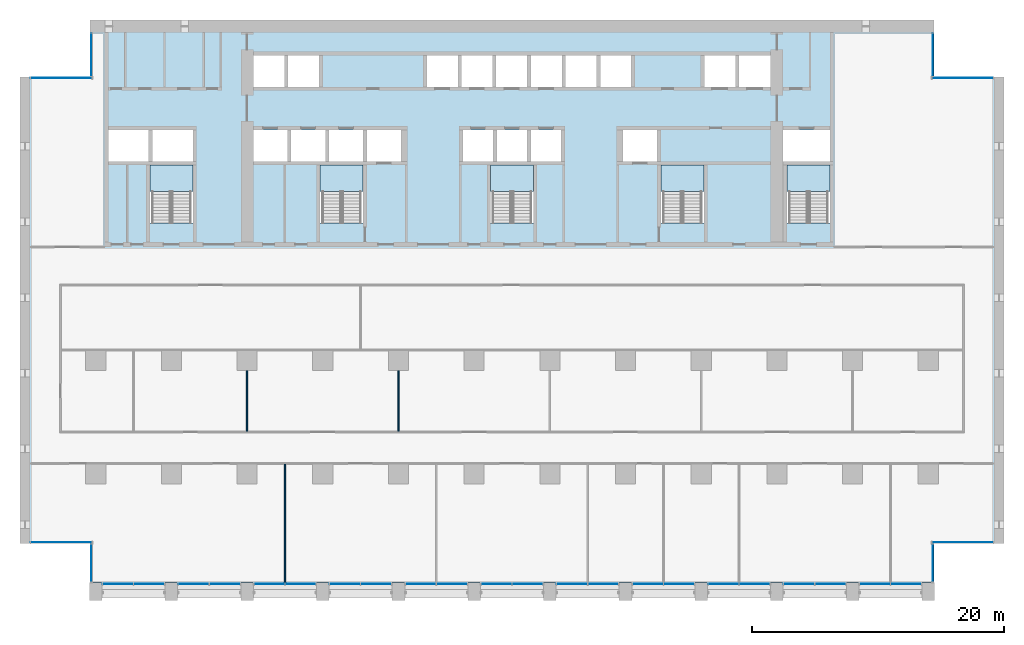
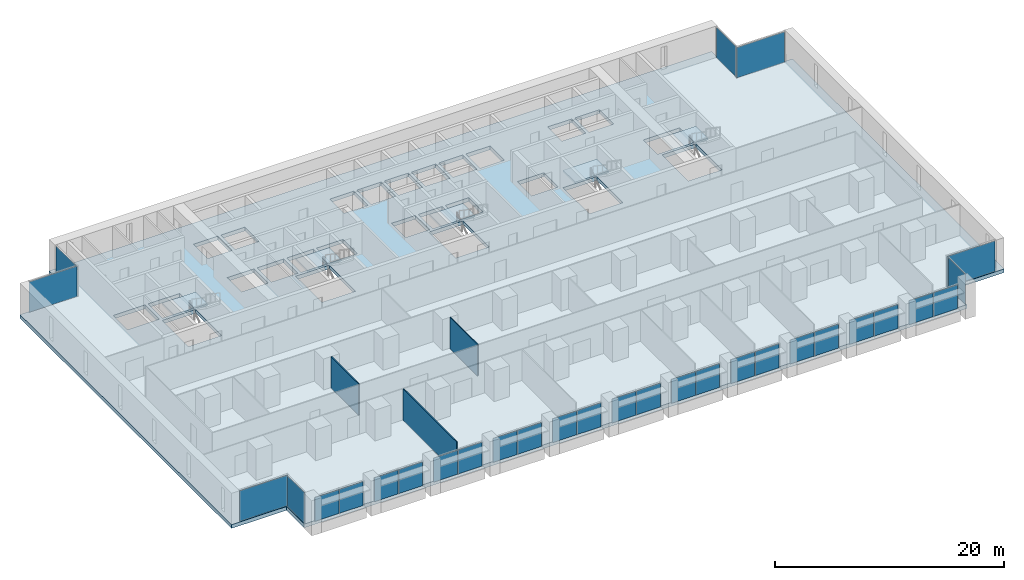
# One storey, part 7 of 18: 30 plates, 6 slabs, 3 walls, 24 elements without a shape of their own.
"""IFC4 building model written with IfcOpenShell, lengths in metres."""

from ifc_helpers import new_model, si_unit, direction, frame, frame_2d, origin, origin_2d, place, context, subcontext, project, spatial, polyline, rectangle, outline, extrude, material, layer, layer_set, type_object, element, aggregate, save


model = new_model("IFC4")

# Units and contexts
model_context = context("Model", 3, precision=1e-05, world=origin(), true_north=direction((0.0, 1.0)))
body_context = subcontext(model_context, "Body", "Model", "MODEL_VIEW")
ifc_project = project(units=[si_unit("LENGTHUNIT", "METRE"), si_unit("AREAUNIT", "SQUARE_METRE"), si_unit("VOLUMEUNIT", "CUBIC_METRE"), si_unit("PLANEANGLEUNIT", "RADIAN"), si_unit("MASSUNIT", "GRAM", prefix="KILO")], contexts=[model_context])

# Site, building, storey
site_placement = place(None, origin())
site = spatial("IfcSite", under=ifc_project, at=site_placement, CompositionType="ELEMENT")
building_placement = place(site_placement, origin())
building = spatial("IfcBuilding", under=site, at=building_placement, Name="Calvaro Tower", CompositionType="ELEMENT")
storey_placement = place(building_placement, frame((0.0, 0.0, 63.75)))
storey = spatial("IfcBuildingStorey", under=building, at=storey_placement, Name="L15", CompositionType="ELEMENT", Elevation=63.75)

# Slab
ifc_material_1 = material(Name="Concrete C40/50", Category="concrete")
ifc_layer_1 = layer(ifc_material_1, 0.39990234375)
ifc_layer_set_1 = layer_set([ifc_layer_1], Name="Concrete C40/50")
slab_type_1 = type_object("IfcSlabType", Name="Floor slab 400 C40/50", PredefinedType="FLOOR", material=ifc_layer_set_1)
slab_1_placement = place(storey_placement, frame((0.0, 0.0, -0.39990234375)))
element("IfcSlab", 1, at=slab_1_placement, inside=storey, type_object=slab_type_1, Name="Floor slab", PredefinedType="FLOOR", context=body_context, shape_type="SweptSolid", body=[
    extrude(outline(polyline([(72.449951171875, 4.5), (72.449951171875, 1.39990234375), (5.550048828125, 1.39990234375), (5.550048828125, 4.5), (0.0, 4.5), (0.0, 41.5), (5.550048828125, 41.5), (5.550048828125, 46.0), (72.449951171875, 46.0), (72.449951171875, 41.5), (78.0, 41.5), (78.0, 4.5), (72.449951171875, 4.5)]), holes=[polyline([(10.300048828125, 29.909912109375), (10.300048828125, 34.5), (12.0, 34.5), (13.699951171875, 34.5), (13.699951171875, 29.909912109375), (12.0, 29.909912109375), (10.300048828125, 29.909912109375)]), polyline([(23.800048828125, 29.909912109375), (23.800048828125, 34.5), (25.5, 34.5), (27.199951171875, 34.5), (27.199951171875, 29.909912109375), (25.5, 29.909912109375), (23.800048828125, 29.909912109375)]), polyline([(37.300048828125, 29.909912109375), (37.300048828125, 34.5), (39.0, 34.5), (40.699951171875, 34.5), (40.699951171875, 29.909912109375), (39.0, 29.909912109375), (37.300048828125, 29.909912109375)]), polyline([(50.800048828125, 29.909912109375), (50.800048828125, 34.5), (52.5, 34.5), (54.199951171875, 34.5), (54.199951171875, 29.909912109375), (52.5, 29.909912109375), (50.800048828125, 29.909912109375)]), polyline([(60.800048828125, 29.909912109375), (60.800048828125, 34.5), (62.5, 34.5), (64.199951171875, 34.5), (64.199951171875, 29.909912109375), (62.5, 29.909912109375), (60.800048828125, 29.909912109375)]), polyline([(18.5, 34.800048828125), (21.199951171875, 34.800048828125), (21.199951171875, 37.300048828125), (18.5, 37.300048828125), (18.5, 34.800048828125)]), polyline([(21.5, 34.800048828125), (24.199951171875, 34.800048828125), (24.199951171875, 37.300048828125), (21.5, 37.300048828125), (21.5, 34.800048828125)]), polyline([(24.5, 34.800048828125), (27.199951171875, 34.800048828125), (27.199951171875, 37.300048828125), (24.5, 37.300048828125), (24.5, 34.800048828125)]), polyline([(35.10009765625, 34.800048828125), (37.5, 34.800048828125), (37.5, 37.300048828125), (35.10009765625, 37.300048828125), (35.10009765625, 34.800048828125)]), polyline([(37.800048828125, 34.800048828125), (40.199951171875, 34.800048828125), (40.199951171875, 37.300048828125), (37.800048828125, 37.300048828125), (37.800048828125, 34.800048828125)]), polyline([(40.5, 34.800048828125), (42.89990234375, 34.800048828125), (42.89990234375, 37.300048828125), (40.5, 37.300048828125), (40.5, 34.800048828125)]), polyline([(18.5, 40.699951171875), (20.949951171875, 40.699951171875), (20.949951171875, 43.199951171875), (18.5, 43.199951171875), (18.5, 40.699951171875)]), polyline([(21.25, 40.699951171875), (23.699951171875, 40.699951171875), (23.699951171875, 43.199951171875), (21.25, 43.199951171875), (21.25, 40.699951171875)]), polyline([(32.25, 40.699951171875), (34.699951171875, 40.699951171875), (34.699951171875, 43.199951171875), (32.25, 43.199951171875), (32.25, 40.699951171875)]), polyline([(35.0, 40.699951171875), (37.449951171875, 40.699951171875), (37.449951171875, 43.199951171875), (35.0, 43.199951171875), (35.0, 40.699951171875)]), polyline([(37.75, 40.699951171875), (40.199951171875, 40.699951171875), (40.199951171875, 43.199951171875), (37.75, 43.199951171875), (37.75, 40.699951171875)]), polyline([(40.5, 40.699951171875), (42.949951171875, 40.699951171875), (42.949951171875, 43.199951171875), (40.5, 43.199951171875), (40.5, 40.699951171875)]), polyline([(43.25, 40.699951171875), (45.699951171875, 40.699951171875), (45.699951171875, 43.199951171875), (43.25, 43.199951171875), (43.25, 40.699951171875)]), polyline([(46.0, 40.699951171875), (48.449951171875, 40.699951171875), (48.449951171875, 43.199951171875), (46.0, 43.199951171875), (46.0, 40.699951171875)]), polyline([(54.25, 40.699951171875), (56.699951171875, 40.699951171875), (56.699951171875, 43.199951171875), (54.25, 43.199951171875), (54.25, 40.699951171875)]), polyline([(57.0, 40.699951171875), (59.5, 40.699951171875), (59.5, 43.199951171875), (57.0, 43.199951171875), (57.0, 40.699951171875)]), polyline([(7.0, 34.800048828125), (10.199951171875, 34.800048828125), (10.199951171875, 37.300048828125), (7.0, 37.300048828125), (7.0, 34.800048828125)]), polyline([(10.5, 34.800048828125), (13.699951171875, 34.800048828125), (13.699951171875, 37.300048828125), (10.5, 37.300048828125), (10.5, 34.800048828125)]), polyline([(60.5, 34.800048828125), (64.199951171875, 34.800048828125), (64.199951171875, 37.300048828125), (60.5, 37.300048828125), (60.5, 34.800048828125)]), polyline([(27.5, 34.800048828125), (30.199951171875, 34.800048828125), (30.199951171875, 37.300048828125), (27.5, 37.300048828125), (27.5, 34.800048828125)]), polyline([(47.800048828125, 34.800048828125), (50.5, 34.800048828125), (50.5, 37.300048828125), (47.800048828125, 37.300048828125), (47.800048828125, 34.800048828125)])]), origin(), (0.0, 0.0, 1.0), 0.39990234375),
])

# Curtain wall, plates
ifc_material_2 = material(Name="Anodised aluminium", Category="aluminium")
curtain_wall_type = type_object("IfcCurtainWallType", Name="Office curtain wall, lower zone", PredefinedType="NOTDEFINED", material=ifc_material_2)
curtain_wall_1_placement = place(storey_placement, origin())
curtain_wall_1 = element("IfcCurtainWall", 2, at=curtain_wall_1_placement, inside=storey, type_object=curtain_wall_type, Name="CW1 south curtain wall", PredefinedType="NOTDEFINED")
ifc_material_3 = material(Name="Glass", Category="glass")
ifc_layer_2 = layer(ifc_material_3, 0.028076171875)
ifc_layer_set_2 = layer_set([ifc_layer_2], Name="Glass")
plate_type = type_object("IfcPlateType", Name="Glass panel S1 28", PredefinedType="CURTAIN_PANEL", material=ifc_layer_set_2)
plate_1_placement = place(storey_placement, frame((7.764892578125, 1.300048828125, 0.0), z_axis=(0.0, 0.0, 1.0), x_axis=(1.0, 0.0, 0.0)))
plate_1 = element("IfcPlate", 3, at=plate_1_placement, type_object=plate_type, Name="CW1 glass panel 1.1", PredefinedType="CURTAIN_PANEL", context=body_context, shape_type="SweptSolid", body=[
    extrude(rectangle(XDim=2.409912109375, YDim=0.028076171875, at=origin_2d()), origin(), (0.0, 0.0, 1.0), 2.550048828125),
])
plate_2_placement = place(storey_placement, frame((10.235107421875, 1.300048828125, 0.0), z_axis=(0.0, 0.0, 1.0), x_axis=(1.0, 0.0, 0.0)))
plate_2 = element("IfcPlate", 4, at=plate_2_placement, type_object=plate_type, Name="CW1 glass panel 2.1", PredefinedType="CURTAIN_PANEL", context=body_context, shape_type="SweptSolid", body=[
    extrude(rectangle(XDim=2.409912109375, YDim=0.028076171875, at=origin_2d()), origin(), (0.0, 0.0, 1.0), 2.550048828125),
])
aggregate(curtain_wall_1, [plate_1, plate_2])

curtain_wall_2_placement = place(storey_placement, origin())
curtain_wall_2 = element("IfcCurtainWall", 5, at=curtain_wall_2_placement, inside=storey, type_object=curtain_wall_type, Name="CW1 south curtain wall", PredefinedType="NOTDEFINED")
plate_3_placement = place(storey_placement, frame((13.764892578125, 1.300048828125, 0.0), z_axis=(0.0, 0.0, 1.0), x_axis=(1.0, 0.0, 0.0)))
plate_3 = element("IfcPlate", 6, at=plate_3_placement, type_object=plate_type, Name="CW1 glass panel 1.1", PredefinedType="CURTAIN_PANEL", context=body_context, shape_type="SweptSolid", body=[
    extrude(rectangle(XDim=2.409912109375, YDim=0.028076171875, at=origin_2d()), origin(), (0.0, 0.0, 1.0), 2.550048828125),
])
plate_4_placement = place(storey_placement, frame((16.235107421875, 1.300048828125, 0.0), z_axis=(0.0, 0.0, 1.0), x_axis=(1.0, 0.0, 0.0)))
plate_4 = element("IfcPlate", 7, at=plate_4_placement, type_object=plate_type, Name="CW1 glass panel 2.1", PredefinedType="CURTAIN_PANEL", context=body_context, shape_type="SweptSolid", body=[
    extrude(rectangle(XDim=2.409912109375, YDim=0.028076171875, at=origin_2d()), origin(), (0.0, 0.0, 1.0), 2.550048828125),
])
aggregate(curtain_wall_2, [plate_3, plate_4])

curtain_wall_3_placement = place(storey_placement, origin())
curtain_wall_3 = element("IfcCurtainWall", 8, at=curtain_wall_3_placement, inside=storey, type_object=curtain_wall_type, Name="CW1 south curtain wall", PredefinedType="NOTDEFINED")
plate_5_placement = place(storey_placement, frame((19.764892578125, 1.300048828125, 0.0), z_axis=(0.0, 0.0, 1.0), x_axis=(1.0, 0.0, 0.0)))
plate_5 = element("IfcPlate", 9, at=plate_5_placement, type_object=plate_type, Name="CW1 glass panel 1.1", PredefinedType="CURTAIN_PANEL", context=body_context, shape_type="SweptSolid", body=[
    extrude(rectangle(XDim=2.409912109375, YDim=0.028076171875, at=origin_2d()), origin(), (0.0, 0.0, 1.0), 2.550048828125),
])
plate_6_placement = place(storey_placement, frame((22.235107421875, 1.300048828125, 0.0), z_axis=(0.0, 0.0, 1.0), x_axis=(1.0, 0.0, 0.0)))
plate_6 = element("IfcPlate", 10, at=plate_6_placement, type_object=plate_type, Name="CW1 glass panel 2.1", PredefinedType="CURTAIN_PANEL", context=body_context, shape_type="SweptSolid", body=[
    extrude(rectangle(XDim=2.409912109375, YDim=0.028076171875, at=origin_2d()), origin(), (0.0, 0.0, 1.0), 2.550048828125),
])
aggregate(curtain_wall_3, [plate_5, plate_6])

curtain_wall_4_placement = place(storey_placement, origin())
curtain_wall_4 = element("IfcCurtainWall", 11, at=curtain_wall_4_placement, inside=storey, type_object=curtain_wall_type, Name="CW1 south curtain wall", PredefinedType="NOTDEFINED")
plate_7_placement = place(storey_placement, frame((25.764892578125, 1.300048828125, 0.0), z_axis=(0.0, 0.0, 1.0), x_axis=(1.0, 0.0, 0.0)))
plate_7 = element("IfcPlate", 12, at=plate_7_placement, type_object=plate_type, Name="CW1 glass panel 1.1", PredefinedType="CURTAIN_PANEL", context=body_context, shape_type="SweptSolid", body=[
    extrude(rectangle(XDim=2.409912109375, YDim=0.028076171875, at=origin_2d()), origin(), (0.0, 0.0, 1.0), 2.550048828125),
])
plate_8_placement = place(storey_placement, frame((28.235107421875, 1.300048828125, 0.0), z_axis=(0.0, 0.0, 1.0), x_axis=(1.0, 0.0, 0.0)))
plate_8 = element("IfcPlate", 13, at=plate_8_placement, type_object=plate_type, Name="CW1 glass panel 2.1", PredefinedType="CURTAIN_PANEL", context=body_context, shape_type="SweptSolid", body=[
    extrude(rectangle(XDim=2.409912109375, YDim=0.028076171875, at=origin_2d()), origin(), (0.0, 0.0, 1.0), 2.550048828125),
])
aggregate(curtain_wall_4, [plate_7, plate_8])

curtain_wall_5_placement = place(storey_placement, origin())
curtain_wall_5 = element("IfcCurtainWall", 14, at=curtain_wall_5_placement, inside=storey, type_object=curtain_wall_type, Name="CW1 south curtain wall", PredefinedType="NOTDEFINED")
plate_9_placement = place(storey_placement, frame((31.764892578125, 1.300048828125, 0.0), z_axis=(0.0, 0.0, 1.0), x_axis=(1.0, 0.0, 0.0)))
plate_9 = element("IfcPlate", 15, at=plate_9_placement, type_object=plate_type, Name="CW1 glass panel 1.1", PredefinedType="CURTAIN_PANEL", context=body_context, shape_type="SweptSolid", body=[
    extrude(rectangle(XDim=2.409912109375, YDim=0.028076171875, at=origin_2d()), origin(), (0.0, 0.0, 1.0), 2.550048828125),
])
plate_10_placement = place(storey_placement, frame((34.235107421875, 1.300048828125, 0.0), z_axis=(0.0, 0.0, 1.0), x_axis=(1.0, 0.0, 0.0)))
plate_10 = element("IfcPlate", 16, at=plate_10_placement, type_object=plate_type, Name="CW1 glass panel 2.1", PredefinedType="CURTAIN_PANEL", context=body_context, shape_type="SweptSolid", body=[
    extrude(rectangle(XDim=2.409912109375, YDim=0.028076171875, at=origin_2d()), origin(), (0.0, 0.0, 1.0), 2.550048828125),
])
aggregate(curtain_wall_5, [plate_9, plate_10])

curtain_wall_6_placement = place(storey_placement, origin())
curtain_wall_6 = element("IfcCurtainWall", 17, at=curtain_wall_6_placement, inside=storey, type_object=curtain_wall_type, Name="CW1 south curtain wall", PredefinedType="NOTDEFINED")
plate_11_placement = place(storey_placement, frame((37.764892578125, 1.300048828125, 0.0), z_axis=(0.0, 0.0, 1.0), x_axis=(1.0, 0.0, 0.0)))
plate_11 = element("IfcPlate", 18, at=plate_11_placement, type_object=plate_type, Name="CW1 glass panel 1.1", PredefinedType="CURTAIN_PANEL", context=body_context, shape_type="SweptSolid", body=[
    extrude(rectangle(XDim=2.409912109375, YDim=0.028076171875, at=origin_2d()), origin(), (0.0, 0.0, 1.0), 2.550048828125),
])
plate_12_placement = place(storey_placement, frame((40.235107421875, 1.300048828125, 0.0), z_axis=(0.0, 0.0, 1.0), x_axis=(1.0, 0.0, 0.0)))
plate_12 = element("IfcPlate", 19, at=plate_12_placement, type_object=plate_type, Name="CW1 glass panel 2.1", PredefinedType="CURTAIN_PANEL", context=body_context, shape_type="SweptSolid", body=[
    extrude(rectangle(XDim=2.409912109375, YDim=0.028076171875, at=origin_2d()), origin(), (0.0, 0.0, 1.0), 2.550048828125),
])
aggregate(curtain_wall_6, [plate_11, plate_12])

curtain_wall_7_placement = place(storey_placement, origin())
curtain_wall_7 = element("IfcCurtainWall", 20, at=curtain_wall_7_placement, inside=storey, type_object=curtain_wall_type, Name="CW1 south curtain wall", PredefinedType="NOTDEFINED")
plate_13_placement = place(storey_placement, frame((43.764892578125, 1.300048828125, 0.0), z_axis=(0.0, 0.0, 1.0), x_axis=(1.0, 0.0, 0.0)))
plate_13 = element("IfcPlate", 21, at=plate_13_placement, type_object=plate_type, Name="CW1 glass panel 1.1", PredefinedType="CURTAIN_PANEL", context=body_context, shape_type="SweptSolid", body=[
    extrude(rectangle(XDim=2.409912109375, YDim=0.028076171875, at=origin_2d()), origin(), (0.0, 0.0, 1.0), 2.550048828125),
])
plate_14_placement = place(storey_placement, frame((46.235107421875, 1.300048828125, 0.0), z_axis=(0.0, 0.0, 1.0), x_axis=(1.0, 0.0, 0.0)))
plate_14 = element("IfcPlate", 22, at=plate_14_placement, type_object=plate_type, Name="CW1 glass panel 2.1", PredefinedType="CURTAIN_PANEL", context=body_context, shape_type="SweptSolid", body=[
    extrude(rectangle(XDim=2.409912109375, YDim=0.028076171875, at=origin_2d()), origin(), (0.0, 0.0, 1.0), 2.550048828125),
])
aggregate(curtain_wall_7, [plate_13, plate_14])

curtain_wall_8_placement = place(storey_placement, origin())
curtain_wall_8 = element("IfcCurtainWall", 23, at=curtain_wall_8_placement, inside=storey, type_object=curtain_wall_type, Name="CW1 south curtain wall", PredefinedType="NOTDEFINED")
plate_15_placement = place(storey_placement, frame((49.764892578125, 1.300048828125, 0.0), z_axis=(0.0, 0.0, 1.0), x_axis=(1.0, 0.0, 0.0)))
plate_15 = element("IfcPlate", 24, at=plate_15_placement, type_object=plate_type, Name="CW1 glass panel 1.1", PredefinedType="CURTAIN_PANEL", context=body_context, shape_type="SweptSolid", body=[
    extrude(rectangle(XDim=2.409912109375, YDim=0.028076171875, at=origin_2d()), origin(), (0.0, 0.0, 1.0), 2.550048828125),
])
plate_16_placement = place(storey_placement, frame((52.235107421875, 1.300048828125, 0.0), z_axis=(0.0, 0.0, 1.0), x_axis=(1.0, 0.0, 0.0)))
plate_16 = element("IfcPlate", 25, at=plate_16_placement, type_object=plate_type, Name="CW1 glass panel 2.1", PredefinedType="CURTAIN_PANEL", context=body_context, shape_type="SweptSolid", body=[
    extrude(rectangle(XDim=2.409912109375, YDim=0.028076171875, at=origin_2d()), origin(), (0.0, 0.0, 1.0), 2.550048828125),
])
aggregate(curtain_wall_8, [plate_15, plate_16])

curtain_wall_9_placement = place(storey_placement, origin())
curtain_wall_9 = element("IfcCurtainWall", 26, at=curtain_wall_9_placement, inside=storey, type_object=curtain_wall_type, Name="CW1 south curtain wall", PredefinedType="NOTDEFINED")
plate_17_placement = place(storey_placement, frame((55.764892578125, 1.300048828125, 0.0), z_axis=(0.0, 0.0, 1.0), x_axis=(1.0, 0.0, 0.0)))
plate_17 = element("IfcPlate", 27, at=plate_17_placement, type_object=plate_type, Name="CW1 glass panel 1.1", PredefinedType="CURTAIN_PANEL", context=body_context, shape_type="SweptSolid", body=[
    extrude(rectangle(XDim=2.409912109375, YDim=0.028076171875, at=origin_2d()), origin(), (0.0, 0.0, 1.0), 2.550048828125),
])
plate_18_placement = place(storey_placement, frame((58.235107421875, 1.300048828125, 0.0), z_axis=(0.0, 0.0, 1.0), x_axis=(1.0, 0.0, 0.0)))
plate_18 = element("IfcPlate", 28, at=plate_18_placement, type_object=plate_type, Name="CW1 glass panel 2.1", PredefinedType="CURTAIN_PANEL", context=body_context, shape_type="SweptSolid", body=[
    extrude(rectangle(XDim=2.409912109375, YDim=0.028076171875, at=origin_2d()), origin(), (0.0, 0.0, 1.0), 2.550048828125),
])
aggregate(curtain_wall_9, [plate_17, plate_18])

curtain_wall_10_placement = place(storey_placement, origin())
curtain_wall_10 = element("IfcCurtainWall", 29, at=curtain_wall_10_placement, inside=storey, type_object=curtain_wall_type, Name="CW1 south curtain wall", PredefinedType="NOTDEFINED")
plate_19_placement = place(storey_placement, frame((61.764892578125, 1.300048828125, 0.0), z_axis=(0.0, 0.0, 1.0), x_axis=(1.0, 0.0, 0.0)))
plate_19 = element("IfcPlate", 30, at=plate_19_placement, type_object=plate_type, Name="CW1 glass panel 1.1", PredefinedType="CURTAIN_PANEL", context=body_context, shape_type="SweptSolid", body=[
    extrude(rectangle(XDim=2.409912109375, YDim=0.028076171875, at=origin_2d()), origin(), (0.0, 0.0, 1.0), 2.550048828125),
])
plate_20_placement = place(storey_placement, frame((64.235107421875, 1.300048828125, 0.0), z_axis=(0.0, 0.0, 1.0), x_axis=(1.0, 0.0, 0.0)))
plate_20 = element("IfcPlate", 31, at=plate_20_placement, type_object=plate_type, Name="CW1 glass panel 2.1", PredefinedType="CURTAIN_PANEL", context=body_context, shape_type="SweptSolid", body=[
    extrude(rectangle(XDim=2.409912109375, YDim=0.028076171875, at=origin_2d()), origin(), (0.0, 0.0, 1.0), 2.550048828125),
])
aggregate(curtain_wall_10, [plate_19, plate_20])

curtain_wall_11_placement = place(storey_placement, origin())
curtain_wall_11 = element("IfcCurtainWall", 32, at=curtain_wall_11_placement, inside=storey, type_object=curtain_wall_type, Name="CW1 south curtain wall", PredefinedType="NOTDEFINED")
plate_21_placement = place(storey_placement, frame((67.764892578125, 1.300048828125, 0.0), z_axis=(0.0, 0.0, 1.0), x_axis=(1.0, 0.0, 0.0)))
plate_21 = element("IfcPlate", 33, at=plate_21_placement, type_object=plate_type, Name="CW1 glass panel 1.1", PredefinedType="CURTAIN_PANEL", context=body_context, shape_type="SweptSolid", body=[
    extrude(rectangle(XDim=2.409912109375, YDim=0.028076171875, at=origin_2d()), origin(), (0.0, 0.0, 1.0), 2.550048828125),
])
plate_22_placement = place(storey_placement, frame((70.235107421875, 1.300048828125, 0.0), z_axis=(0.0, 0.0, 1.0), x_axis=(1.0, 0.0, 0.0)))
plate_22 = element("IfcPlate", 34, at=plate_22_placement, type_object=plate_type, Name="CW1 glass panel 2.1", PredefinedType="CURTAIN_PANEL", context=body_context, shape_type="SweptSolid", body=[
    extrude(rectangle(XDim=2.409912109375, YDim=0.028076171875, at=origin_2d()), origin(), (0.0, 0.0, 1.0), 2.550048828125),
])
aggregate(curtain_wall_11, [plate_21, plate_22])

# Curtain wall, plate
curtain_wall_12_placement = place(storey_placement, origin())
curtain_wall_12 = element("IfcCurtainWall", 35, at=curtain_wall_12_placement, inside=storey, type_object=curtain_wall_type, Name="CW1 corner curtain wall", PredefinedType="NOTDEFINED")
plate_23_placement = place(storey_placement, frame((5.64990234375, 2.949951171875, 0.0), z_axis=(0.0, 0.0, 1.0), x_axis=(0.0, 1.0, 0.0)))
plate_23 = element("IfcPlate", 36, at=plate_23_placement, type_object=plate_type, Name="CW1 glass panel 1.1", PredefinedType="CURTAIN_PANEL", context=body_context, shape_type="SweptSolid", body=[
    extrude(rectangle(XDim=2.97998046875, YDim=0.028076171875, at=origin_2d()), origin(), (0.0, 0.0, 1.0), 3.25),
])
aggregate(curtain_wall_12, [plate_23])

curtain_wall_13_placement = place(storey_placement, origin())
curtain_wall_13 = element("IfcCurtainWall", 37, at=curtain_wall_13_placement, inside=storey, type_object=curtain_wall_type, Name="CW1 corner curtain wall", PredefinedType="NOTDEFINED")
plate_24_placement = place(storey_placement, frame((3.27490234375, 4.60009765625, 0.0), z_axis=(0.0, 0.0, 1.0), x_axis=(1.0, 0.0, 0.0)))
plate_24 = element("IfcPlate", 38, at=plate_24_placement, type_object=plate_type, Name="CW1 glass panel 1.1", PredefinedType="CURTAIN_PANEL", context=body_context, shape_type="SweptSolid", body=[
    extrude(rectangle(XDim=4.830078125, YDim=0.028076171875, at=origin_2d()), origin(), (0.0, 0.0, 1.0), 3.25),
])
aggregate(curtain_wall_13, [plate_24])

curtain_wall_14_placement = place(storey_placement, origin())
curtain_wall_14 = element("IfcCurtainWall", 39, at=curtain_wall_14_placement, inside=storey, type_object=curtain_wall_type, Name="CW1 corner curtain wall", PredefinedType="NOTDEFINED")
plate_25_placement = place(storey_placement, frame((5.64990234375, 43.25, 0.0), z_axis=(0.0, 0.0, 1.0), x_axis=(0.0, 1.0, 0.0)))
plate_25 = element("IfcPlate", 40, at=plate_25_placement, type_object=plate_type, Name="CW1 glass panel 1.1", PredefinedType="CURTAIN_PANEL", context=body_context, shape_type="SweptSolid", body=[
    extrude(rectangle(XDim=3.3798828125, YDim=0.028076171875, at=origin_2d()), origin(), (0.0, 0.0, 1.0), 3.25),
])
aggregate(curtain_wall_14, [plate_25])

curtain_wall_15_placement = place(storey_placement, origin())
curtain_wall_15 = element("IfcCurtainWall", 41, at=curtain_wall_15_placement, inside=storey, type_object=curtain_wall_type, Name="CW1 corner curtain wall", PredefinedType="NOTDEFINED")
plate_26_placement = place(storey_placement, frame((3.27490234375, 41.39990234375, 0.0), z_axis=(0.0, 0.0, 1.0), x_axis=(1.0, 0.0, 0.0)))
plate_26 = element("IfcPlate", 42, at=plate_26_placement, type_object=plate_type, Name="CW1 glass panel 1.1", PredefinedType="CURTAIN_PANEL", context=body_context, shape_type="SweptSolid", body=[
    extrude(rectangle(XDim=4.830078125, YDim=0.028076171875, at=origin_2d()), origin(), (0.0, 0.0, 1.0), 3.25),
])
aggregate(curtain_wall_15, [plate_26])

curtain_wall_16_placement = place(storey_placement, origin())
curtain_wall_16 = element("IfcCurtainWall", 43, at=curtain_wall_16_placement, inside=storey, type_object=curtain_wall_type, Name="CW1 corner curtain wall", PredefinedType="NOTDEFINED")
plate_27_placement = place(storey_placement, frame((72.35009765625, 2.949951171875, 0.0), z_axis=(0.0, 0.0, 1.0), x_axis=(0.0, 1.0, 0.0)))
plate_27 = element("IfcPlate", 44, at=plate_27_placement, type_object=plate_type, Name="CW1 glass panel 1.1", PredefinedType="CURTAIN_PANEL", context=body_context, shape_type="SweptSolid", body=[
    extrude(rectangle(XDim=2.97998046875, YDim=0.028076171875, at=origin_2d()), origin(), (0.0, 0.0, 1.0), 3.25),
])
aggregate(curtain_wall_16, [plate_27])

curtain_wall_17_placement = place(storey_placement, origin())
curtain_wall_17 = element("IfcCurtainWall", 45, at=curtain_wall_17_placement, inside=storey, type_object=curtain_wall_type, Name="CW1 corner curtain wall", PredefinedType="NOTDEFINED")
plate_28_placement = place(storey_placement, frame((74.72509765625, 4.60009765625, 0.0), z_axis=(0.0, 0.0, 1.0), x_axis=(1.0, 0.0, 0.0)))
plate_28 = element("IfcPlate", 46, at=plate_28_placement, type_object=plate_type, Name="CW1 glass panel 1.1", PredefinedType="CURTAIN_PANEL", context=body_context, shape_type="SweptSolid", body=[
    extrude(rectangle(XDim=4.830078125, YDim=0.028076171875, at=origin_2d()), origin(), (0.0, 0.0, 1.0), 3.25),
])
aggregate(curtain_wall_17, [plate_28])

curtain_wall_18_placement = place(storey_placement, origin())
curtain_wall_18 = element("IfcCurtainWall", 47, at=curtain_wall_18_placement, inside=storey, type_object=curtain_wall_type, Name="CW1 corner curtain wall", PredefinedType="NOTDEFINED")
plate_29_placement = place(storey_placement, frame((72.35009765625, 43.25, 0.0), z_axis=(0.0, 0.0, 1.0), x_axis=(0.0, 1.0, 0.0)))
plate_29 = element("IfcPlate", 48, at=plate_29_placement, type_object=plate_type, Name="CW1 glass panel 1.1", PredefinedType="CURTAIN_PANEL", context=body_context, shape_type="SweptSolid", body=[
    extrude(rectangle(XDim=3.3798828125, YDim=0.028076171875, at=origin_2d()), origin(), (0.0, 0.0, 1.0), 3.25),
])
aggregate(curtain_wall_18, [plate_29])

curtain_wall_19_placement = place(storey_placement, origin())
curtain_wall_19 = element("IfcCurtainWall", 49, at=curtain_wall_19_placement, inside=storey, type_object=curtain_wall_type, Name="CW1 corner curtain wall", PredefinedType="NOTDEFINED")
plate_30_placement = place(storey_placement, frame((74.72509765625, 41.39990234375, 0.0), z_axis=(0.0, 0.0, 1.0), x_axis=(1.0, 0.0, 0.0)))
plate_30 = element("IfcPlate", 50, at=plate_30_placement, type_object=plate_type, Name="CW1 glass panel 1.1", PredefinedType="CURTAIN_PANEL", context=body_context, shape_type="SweptSolid", body=[
    extrude(rectangle(XDim=4.830078125, YDim=0.028076171875, at=origin_2d()), origin(), (0.0, 0.0, 1.0), 3.25),
])
aggregate(curtain_wall_19, [plate_30])

# Stair, slab
ifc_material_4 = material(Name="Concrete C40/50", Category="concrete")
stair_type = type_object("IfcStairType", Name="Exit stair 1400 2 flights", PredefinedType="HALF_TURN_STAIR", material=ifc_material_4)
stair_1_placement = place(storey_placement, origin())
stair_1 = element("IfcStair", 51, at=stair_1_placement, inside=storey, type_object=stair_type, Name="Exit stair S1", PredefinedType="HALF_TURN_STAIR")
ifc_material_5 = material(Name="Concrete C40/50", Category="concrete")
ifc_layer_3 = layer(ifc_material_5, 0.199951171875)
ifc_layer_set_3 = layer_set([ifc_layer_3], Name="Concrete C40/50")
slab_type_2 = type_object("IfcSlabType", Name="Stair landing", PredefinedType="LANDING", material=ifc_layer_set_3)
slab_2_placement = place(storey_placement, frame((0.0, 0.0, 1.675048828125)))
slab_2 = element("IfcSlab", 52, at=slab_2_placement, type_object=slab_type_2, Name="Exit stair 1, landing 1", PredefinedType="LANDING", context=body_context, shape_type="SweptSolid", body=[
    extrude(outline(polyline([(11.89990234375, 32.389892578125), (10.5, 32.389892578125), (10.5, 32.39990234375), (10.300048828125, 32.39990234375), (10.300048828125, 34.5), (10.5, 34.5), (11.89990234375, 34.5), (12.10009765625, 34.5), (13.5, 34.5), (13.699951171875, 34.5), (13.699951171875, 32.39990234375), (13.5, 32.39990234375), (13.5, 32.389892578125), (12.10009765625, 32.389892578125), (12.10009765625, 32.39990234375), (11.89990234375, 32.39990234375), (11.89990234375, 32.389892578125)])), origin(), (0.0, 0.0, 1.0), 0.199951171875),
])
aggregate(stair_1, [slab_2])

stair_2_placement = place(storey_placement, origin())
stair_2 = element("IfcStair", 53, at=stair_2_placement, inside=storey, type_object=stair_type, Name="Exit stair S2", PredefinedType="HALF_TURN_STAIR")
slab_3_placement = place(storey_placement, frame((0.0, 0.0, 1.675048828125)))
slab_3 = element("IfcSlab", 54, at=slab_3_placement, type_object=slab_type_2, Name="Exit stair 2, landing 1", PredefinedType="LANDING", context=body_context, shape_type="SweptSolid", body=[
    extrude(outline(polyline([(25.39990234375, 32.389892578125), (24.0, 32.389892578125), (24.0, 32.39990234375), (23.800048828125, 32.39990234375), (23.800048828125, 34.5), (24.0, 34.5), (25.39990234375, 34.5), (25.60009765625, 34.5), (27.0, 34.5), (27.199951171875, 34.5), (27.199951171875, 32.39990234375), (27.0, 32.39990234375), (27.0, 32.389892578125), (25.60009765625, 32.389892578125), (25.60009765625, 32.39990234375), (25.39990234375, 32.39990234375), (25.39990234375, 32.389892578125)])), origin(), (0.0, 0.0, 1.0), 0.199951171875),
])
aggregate(stair_2, [slab_3])

stair_3_placement = place(storey_placement, origin())
stair_3 = element("IfcStair", 55, at=stair_3_placement, inside=storey, type_object=stair_type, Name="Exit stair S3", PredefinedType="HALF_TURN_STAIR")
slab_4_placement = place(storey_placement, frame((0.0, 0.0, 1.675048828125)))
slab_4 = element("IfcSlab", 56, at=slab_4_placement, type_object=slab_type_2, Name="Exit stair 3, landing 1", PredefinedType="LANDING", context=body_context, shape_type="SweptSolid", body=[
    extrude(outline(polyline([(38.89990234375, 32.389892578125), (37.5, 32.389892578125), (37.5, 32.39990234375), (37.300048828125, 32.39990234375), (37.300048828125, 34.5), (37.5, 34.5), (38.89990234375, 34.5), (39.10009765625, 34.5), (40.5, 34.5), (40.699951171875, 34.5), (40.699951171875, 32.39990234375), (40.5, 32.39990234375), (40.5, 32.389892578125), (39.10009765625, 32.389892578125), (39.10009765625, 32.39990234375), (38.89990234375, 32.39990234375), (38.89990234375, 32.389892578125)])), origin(), (0.0, 0.0, 1.0), 0.199951171875),
])
aggregate(stair_3, [slab_4])

stair_4_placement = place(storey_placement, origin())
stair_4 = element("IfcStair", 57, at=stair_4_placement, inside=storey, type_object=stair_type, Name="Exit stair S4", PredefinedType="HALF_TURN_STAIR")
slab_5_placement = place(storey_placement, frame((0.0, 0.0, 1.675048828125)))
slab_5 = element("IfcSlab", 58, at=slab_5_placement, type_object=slab_type_2, Name="Exit stair 4, landing 1", PredefinedType="LANDING", context=body_context, shape_type="SweptSolid", body=[
    extrude(outline(polyline([(52.39990234375, 32.389892578125), (51.0, 32.389892578125), (51.0, 32.39990234375), (50.800048828125, 32.39990234375), (50.800048828125, 34.5), (51.0, 34.5), (52.39990234375, 34.5), (52.60009765625, 34.5), (54.0, 34.5), (54.199951171875, 34.5), (54.199951171875, 32.39990234375), (54.0, 32.39990234375), (54.0, 32.389892578125), (52.60009765625, 32.389892578125), (52.60009765625, 32.39990234375), (52.39990234375, 32.39990234375), (52.39990234375, 32.389892578125)])), origin(), (0.0, 0.0, 1.0), 0.199951171875),
])
aggregate(stair_4, [slab_5])

stair_5_placement = place(storey_placement, origin())
stair_5 = element("IfcStair", 59, at=stair_5_placement, inside=storey, type_object=stair_type, Name="Exit stair S5", PredefinedType="HALF_TURN_STAIR")
slab_6_placement = place(storey_placement, frame((0.0, 0.0, 1.675048828125)))
slab_6 = element("IfcSlab", 60, at=slab_6_placement, type_object=slab_type_2, Name="Exit stair 5, landing 1", PredefinedType="LANDING", context=body_context, shape_type="SweptSolid", body=[
    extrude(outline(polyline([(62.39990234375, 32.389892578125), (61.0, 32.389892578125), (61.0, 32.39990234375), (60.800048828125, 32.39990234375), (60.800048828125, 34.5), (61.0, 34.5), (62.39990234375, 34.5), (62.60009765625, 34.5), (64.0, 34.5), (64.199951171875, 34.5), (64.199951171875, 32.39990234375), (64.0, 32.39990234375), (64.0, 32.389892578125), (62.60009765625, 32.389892578125), (62.60009765625, 32.39990234375), (62.39990234375, 32.39990234375), (62.39990234375, 32.389892578125)])), origin(), (0.0, 0.0, 1.0), 0.199951171875),
])
aggregate(stair_5, [slab_6])

# Walls
ifc_material_6 = material(Name="Plasterboard on steel studs", Category="steel")
ifc_layer_4 = layer(ifc_material_6, 0.10009765625)
ifc_layer_set_4 = layer_set([ifc_layer_4], Name="Plasterboard on steel studs")
wall_type = type_object("IfcWallType", Name="Partition 100", PredefinedType="PARTITIONING", material=ifc_layer_set_4)
wall_1_placement = place(storey_placement, frame((18.0, 13.39990234375, 0.0), z_axis=(0.0, 0.0, 1.0), x_axis=(0.0, 1.0, 0.0)))
element("IfcWall", 61, at=wall_1_placement, inside=storey, type_object=wall_type, Name="Partition T12.W009", PredefinedType="PARTITIONING", context=body_context, shape_type="SweptSolid", body=[
    extrude(rectangle(XDim=4.800048828125, YDim=0.10009765625, at=frame_2d((2.39990234375, 0.0))), origin(), (0.0, 0.0, 1.0), 3.35009765625),
])
wall_2_placement = place(storey_placement, frame((21.0, 1.39990234375, 0.0), z_axis=(0.0, 0.0, 1.0), x_axis=(0.0, 1.0, 0.0)))
element("IfcWall", 62, at=wall_2_placement, inside=storey, type_object=wall_type, Name="Partition T12.W010", PredefinedType="PARTITIONING", context=body_context, shape_type="SweptSolid", body=[
    extrude(rectangle(XDim=9.400146484375, YDim=0.10009765625, at=frame_2d((4.7001953125, 0.0))), origin(), (0.0, 0.0, 1.0), 3.35009765625),
])
wall_3_placement = place(storey_placement, frame((30.0, 13.39990234375, 0.0), z_axis=(0.0, 0.0, 1.0), x_axis=(0.0, 1.0, 0.0)))
element("IfcWall", 63, at=wall_3_placement, inside=storey, type_object=wall_type, Name="Partition T12.W012", PredefinedType="PARTITIONING", context=body_context, shape_type="SweptSolid", body=[
    extrude(rectangle(XDim=4.800048828125, YDim=0.10009765625, at=frame_2d((2.39990234375, 0.0))), origin(), (0.0, 0.0, 1.0), 3.35009765625),
])

save(model, "model.ifc")
